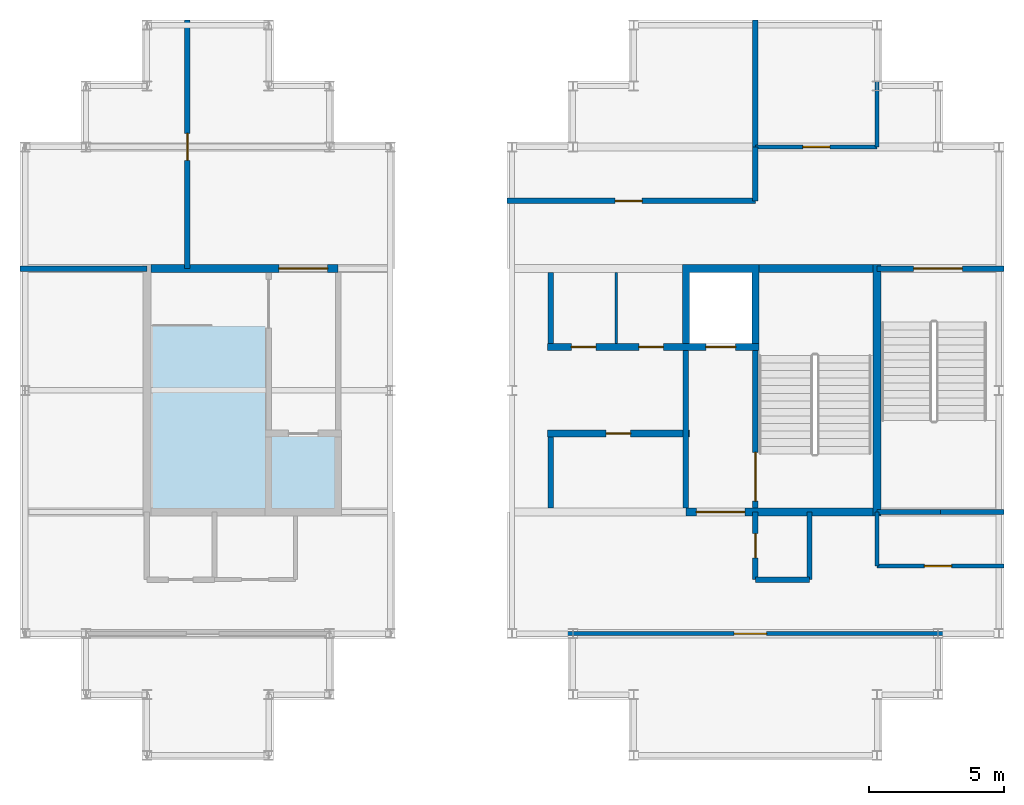
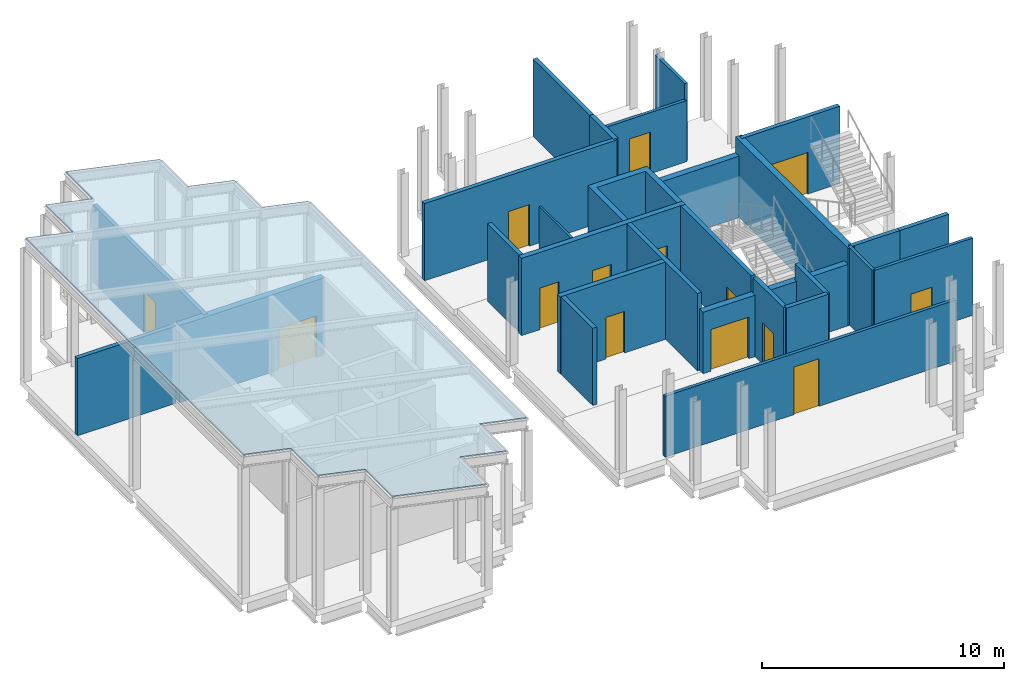
# One storey, part 3 of 6: 28 walls, 14 doors, 1 roof, 14 openings.
"""IFC4 building model written with IfcOpenShell, lengths in metres."""

from ifc_helpers import new_model, si_unit, direction, frame, frame_2d, origin, place, context, subcontext, project, spatial, polyline, rectangle, outline, extrude, material, layer, layer_set, type_object, element, fill, save


model = new_model("IFC4")

# Units and contexts
model_context = context("Model", 3, precision=1e-05, world=origin(), true_north=direction((0.0, 1.0)))
body_context = subcontext(model_context, "Body", "Model", "MODEL_VIEW")
ifc_project = project(units=[si_unit("LENGTHUNIT", "METRE"), si_unit("AREAUNIT", "SQUARE_METRE"), si_unit("VOLUMEUNIT", "CUBIC_METRE"), si_unit("PLANEANGLEUNIT", "RADIAN"), si_unit("MASSUNIT", "GRAM", prefix="KILO")], contexts=[model_context])

# Site, building, storey
site_placement = place(None, origin())
site = spatial("IfcSite", under=ifc_project, at=site_placement, CompositionType="ELEMENT")
building_placement = place(site_placement, origin())
building = spatial("IfcBuilding", under=site, at=building_placement, Name="Caravel Reach Hotel and Residences", CompositionType="ELEMENT")
storey_placement = place(building_placement, frame((0.0, 0.0, 321.199951171875)))
storey = spatial("IfcBuildingStorey", under=building, at=storey_placement, Name="L81", CompositionType="ELEMENT", Elevation=321.199951171875)

# Walls
ifc_material_1 = material(Name="Autoclaved aerated block wall")
ifc_layer_1 = layer(ifc_material_1, 0.199951171875)
ifc_layer_set_1 = layer_set([ifc_layer_1], Name="Compartment wall 200 mm EI 120")
wall_type_1 = type_object("IfcWallType", Name="Compartment wall 200 mm EI 120", PredefinedType="PARTITIONING", material=ifc_layer_set_1)
for number, where, z_axis, x_axis, name in (
    (1, (32.935791015625, 22.64990234375, 0.0), (0.0, 0.0, 1.0), (0.0, 1.0, 0.0), "L81 store partition"),
    (2, (32.935791015625, 28.72509765625, 0.0), (0.0, 0.0, 1.0), (0.0, 1.0, 0.0), "L81 store partition"),
):
    element("IfcWall", number, at=place(storey_placement, frame(where, z_axis=z_axis, x_axis=x_axis)), inside=storey, type_object=wall_type_1, Name=name, PredefinedType="PARTITIONING", context=body_context, shape_type="SweptSolid", body=[
        extrude(rectangle(XDim=2.625, YDim=0.199951171875, at=frame_2d((1.3125, 0.0))), origin(), (0.0, 0.0, 1.0), 3.900146484375),
    ])
wall_1_placement = place(storey_placement, frame((40.5, 20.0, 0.0), z_axis=(0.0, 0.0, 1.0), x_axis=(1.0, 0.0, 0.0)))
element("IfcWall", 3, at=wall_1_placement, inside=storey, type_object=wall_type_1, Name="L81 wall w009", PredefinedType="PARTITIONING", context=body_context, shape_type="SweptSolid", body=[
    extrude(rectangle(XDim=2.0, YDim=0.199951171875, at=frame_2d((1.0, 0.0))), origin(), (0.0, 0.0, 1.0), 3.900146484375),
])
wall_2_placement = place(storey_placement, frame((13.31005859375, 31.5, 0.0), z_axis=(0.0, 0.0, 1.0), x_axis=(1.0, 0.0, 0.0)))
element("IfcWall", 4, at=wall_2_placement, inside=storey, type_object=wall_type_1, Name="L81 wall w011", PredefinedType="PARTITIONING", context=body_context, shape_type="SweptSolid", body=[
    extrude(rectangle(XDim=4.68994140625, YDim=0.199951171875, at=frame_2d((2.344970703125, 0.0))), origin(), (0.0, 0.0, 1.0), 3.900146484375),
])

# Wall, opening, door
wall_3_placement = place(storey_placement, frame((31.31005859375, 34.0, 0.0), z_axis=(0.0, 0.0, 1.0), x_axis=(1.0, 0.0, 0.0)))
wall_3 = element("IfcWall", 5, at=wall_3_placement, inside=storey, type_object=wall_type_1, Name="L81 wall w012", PredefinedType="PARTITIONING", context=body_context, shape_type="SweptSolid", body=[
    extrude(rectangle(XDim=9.18994140625, YDim=0.199951171875, at=frame_2d((4.594970703125, 0.0))), origin(), (0.0, 0.0, 1.0), 3.900146484375),
])
opening_1_placement = place(wall_3_placement, frame((4.0, 0.0, 0.0)))
opening_1 = element("IfcOpeningElement", 6, at=opening_1_placement, cuts=wall_3, Name="Opening D81-015", PredefinedType="OPENING", context=body_context, shape_type="SweptSolid", body=[
    extrude(rectangle(XDim=1.0, YDim=2.10009765625, at=frame_2d((0.5, 1.050048828125))), frame((0.0, 0.10986328125, 0.0), z_axis=(0.0, -1.0, 0.0), x_axis=(1.0, 0.0, 0.0)), (0.0, 0.0, 1.0), 0.219970703125),
])
ifc_material_2 = material(Name="Steel fire door leaf", Category="steel")
door_type_1 = type_object("IfcDoorType", Name="Fire door 1000 x 2100 EI 60", OperationType="SINGLE_SWING_LEFT", PredefinedType="DOOR", material=ifc_material_2)
door_1_placement = place(opening_1_placement, origin())
door_1 = element("IfcDoor", 7, at=door_1_placement, inside=storey, type_object=door_type_1, Name="door D81-015", OperationType="SINGLE_SWING_LEFT", OverallHeight=2.10009765625, OverallWidth=1.0, PredefinedType="DOOR", context=body_context, shape_type="SweptSolid", body=[
    extrude(rectangle(XDim=1.0, YDim=2.10009765625, at=frame_2d((0.5, 1.050048828125))), frame((0.0, 0.02490234375, 0.0), z_axis=(0.0, -1.0, 0.0), x_axis=(1.0, 0.0, 0.0)), (0.0, 0.0, 1.0), 0.050048828125),
])
fill(opening_1, door_1)

wall_4_placement = place(storey_placement, frame((19.5, 31.5, 0.0), z_axis=(0.0, 0.0, 1.0), x_axis=(0.0, 1.0, 0.0)))
wall_4 = element("IfcWall", 8, at=wall_4_placement, inside=storey, type_object=wall_type_1, Name="L81 wall w014", PredefinedType="PARTITIONING", context=body_context, shape_type="SweptSolid", body=[
    extrude(rectangle(XDim=9.18994140625, YDim=0.199951171875, at=frame_2d((4.594970703125, 0.0))), origin(), (0.0, 0.0, 1.0), 3.900146484375),
])
opening_2_placement = place(wall_4_placement, frame((4.0, 0.0, 0.0)))
opening_2 = element("IfcOpeningElement", 9, at=opening_2_placement, cuts=wall_4, Name="Opening D81-018", PredefinedType="OPENING", context=body_context, shape_type="SweptSolid", body=[
    extrude(rectangle(XDim=1.0, YDim=2.10009765625, at=frame_2d((0.5, 1.050048828125))), frame((0.0, 0.10986328125, 0.0), z_axis=(0.0, -1.0, 0.0), x_axis=(1.0, 0.0, 0.0)), (0.0, 0.0, 1.0), 0.219970703125),
])
door_2_placement = place(opening_2_placement, origin())
door_2 = element("IfcDoor", 10, at=door_2_placement, inside=storey, type_object=door_type_1, Name="door D81-018", OperationType="SINGLE_SWING_RIGHT", OverallHeight=2.10009765625, OverallWidth=1.0, PredefinedType="DOOR", context=body_context, shape_type="SweptSolid", body=[
    extrude(rectangle(XDim=1.0, YDim=2.10009765625, at=frame_2d((0.5, 1.050048828125))), frame((0.0, 0.02490234375, 0.0), z_axis=(0.0, -1.0, 0.0), x_axis=(1.0, 0.0, 0.0)), (0.0, 0.0, 1.0), 0.050048828125),
])
fill(opening_2, door_2)

wall_5_placement = place(storey_placement, frame((40.5, 20.0, 0.0), z_axis=(0.0, 0.0, 1.0), x_axis=(0.0, 1.0, 0.0)))
wall_5 = element("IfcWall", 11, at=wall_5_placement, inside=storey, type_object=wall_type_1, Name="L81 wall w016", PredefinedType="PARTITIONING", context=body_context, shape_type="SweptSolid", body=[
    extrude(rectangle(XDim=2.5, YDim=0.199951171875, at=frame_2d((1.25, 0.0))), origin(), (0.0, 0.0, 1.0), 3.900146484375),
])
opening_3_placement = place(wall_5_placement, frame((0.800048828125, 0.0, 0.0)))
opening_3 = element("IfcOpeningElement", 12, at=opening_3_placement, cuts=wall_5, Name="Opening D81-011", PredefinedType="OPENING", context=body_context, shape_type="SweptSolid", body=[
    extrude(rectangle(XDim=0.89990234375, YDim=2.10009765625, at=frame_2d((0.449951171875, 1.050048828125))), frame((0.0, 0.10986328125, 0.0), z_axis=(0.0, -1.0, 0.0), x_axis=(1.0, 0.0, 0.0)), (0.0, 0.0, 1.0), 0.219970703125),
])
ifc_material_3 = material(Name="Steel fire door leaf", Category="steel")
door_type_2 = type_object("IfcDoorType", Name="Riser door 900 x 2100 EI 60", OperationType="SINGLE_SWING_LEFT", PredefinedType="DOOR", material=ifc_material_3)
door_3_placement = place(opening_3_placement, origin())
door_3 = element("IfcDoor", 13, at=door_3_placement, inside=storey, type_object=door_type_2, Name="door D81-011", OperationType="SINGLE_SWING_RIGHT", OverallHeight=2.10009765625, OverallWidth=0.89990234375, PredefinedType="DOOR", context=body_context, shape_type="SweptSolid", body=[
    extrude(rectangle(XDim=0.89990234375, YDim=2.10009765625, at=frame_2d((0.449951171875, 1.050048828125))), frame((0.0, 0.02490234375, 0.0), z_axis=(0.0, -1.0, 0.0), x_axis=(1.0, 0.0, 0.0)), (0.0, 0.0, 1.0), 0.050048828125),
])
fill(opening_3, door_3)

# Walls
wall_6_placement = place(storey_placement, frame((40.5, 34.0, 0.0), z_axis=(0.0, 0.0, 1.0), x_axis=(0.0, 1.0, 0.0)))
element("IfcWall", 14, at=wall_6_placement, inside=storey, type_object=wall_type_1, Name="L81 wall w017", PredefinedType="PARTITIONING", context=body_context, shape_type="SweptSolid", body=[
    extrude(rectangle(XDim=2.0, YDim=0.199951171875, at=frame_2d((1.0, 0.0))), origin(), (0.0, 0.0, 1.0), 3.900146484375),
])
wall_7_placement = place(storey_placement, frame((40.5, 36.0, 0.0), z_axis=(0.0, 0.0, 1.0), x_axis=(0.0, 1.0, 0.0)))
element("IfcWall", 15, at=wall_7_placement, inside=storey, type_object=wall_type_1, Name="L81 wall w018", PredefinedType="PARTITIONING", context=body_context, shape_type="SweptSolid", body=[
    extrude(rectangle(XDim=4.68994140625, YDim=0.199951171875, at=frame_2d((2.344970703125, 0.0))), origin(), (0.0, 0.0, 1.0), 3.900146484375),
])
wall_8_placement = place(storey_placement, frame((42.5, 20.0, 0.0), z_axis=(0.0, 0.0, 1.0), x_axis=(0.0, 1.0, 0.0)))
element("IfcWall", 16, at=wall_8_placement, inside=storey, type_object=wall_type_1, Name="L81 wall w019", PredefinedType="PARTITIONING", context=body_context, shape_type="SweptSolid", body=[
    extrude(rectangle(XDim=2.5, YDim=0.199951171875, at=frame_2d((1.25, 0.0))), origin(), (0.0, 0.0, 1.0), 3.900146484375),
])

# Wall, opening, door
ifc_material_4 = material(Name="Concrete C60", Category="concrete")
ifc_layer_2 = layer(ifc_material_4, 0.300048828125)
ifc_layer_set_2 = layer_set([ifc_layer_2], Name="Core wall 300 mm EI 120")
wall_type_2 = type_object("IfcWallType", Name="Core wall 300 mm EI 120", PredefinedType="SHEAR", material=ifc_layer_set_2)
wall_9_placement = place(storey_placement, frame((37.928466796875, 22.5, 0.0), z_axis=(0.0, 0.0, 1.0), x_axis=(1.0, 0.0, 0.0)))
wall_9 = element("IfcWall", 17, at=wall_9_placement, inside=storey, type_object=wall_type_2, Name="L81 core wall S2", PredefinedType="SHEAR", context=body_context, shape_type="SweptSolid", body=[
    extrude(rectangle(XDim=6.921630859375, YDim=0.300048828125, at=frame_2d((3.4609375, 0.0))), origin(), (0.0, 0.0, 1.0), 3.10009765625),
])
opening_4_placement = place(wall_9_placement, frame((0.3857421875, 0.0, 0.0)))
opening_4 = element("IfcOpeningElement", 18, at=opening_4_placement, cuts=wall_9, Name="Opening D81-009", PredefinedType="OPENING", context=body_context, shape_type="SweptSolid", body=[
    extrude(rectangle(XDim=1.800048828125, YDim=2.10009765625, at=frame_2d((0.89990234375, 1.050048828125))), frame((0.0, 0.159912109375, 0.0), z_axis=(0.0, -1.0, 0.0), x_axis=(1.0, 0.0, 0.0)), (0.0, 0.0, 1.0), 0.320068359375),
])
ifc_material_5 = material(Name="Steel fire door leaf", Category="steel")
door_type_3 = type_object("IfcDoorType", Name="Fire lobby door pair 1800 x 2100 EI 90", OperationType="DOUBLE_DOOR_SINGLE_SWING", PredefinedType="DOOR", material=ifc_material_5)
door_4_placement = place(opening_4_placement, origin())
door_4 = element("IfcDoor", 19, at=door_4_placement, inside=storey, type_object=door_type_3, Name="lobby S door pair to corridor", OperationType="DOUBLE_DOOR_SINGLE_SWING", OverallHeight=2.10009765625, OverallWidth=1.800048828125, PredefinedType="DOOR", context=body_context, shape_type="SweptSolid", body=[
    extrude(rectangle(XDim=1.800048828125, YDim=2.10009765625, at=frame_2d((0.89990234375, 1.050048828125))), frame((0.0, 0.02490234375, 0.0), z_axis=(0.0, -1.0, 0.0), x_axis=(1.0, 0.0, 0.0)), (0.0, 0.0, 1.0), 0.050048828125),
])
fill(opening_4, door_4)

wall_10_placement = place(storey_placement, frame((18.14990234375, 31.5, 0.0), z_axis=(0.0, 0.0, 1.0), x_axis=(1.0, 0.0, 0.0)))
wall_10 = element("IfcWall", 20, at=wall_10_placement, inside=storey, type_object=wall_type_2, Name="L81 core wall N1", PredefinedType="SHEAR", context=body_context, shape_type="SweptSolid", body=[
    extrude(rectangle(XDim=6.921630859375, YDim=0.300048828125, at=frame_2d((3.4609375, 0.0))), origin(), (0.0, 0.0, 1.0), 3.900146484375),
])
opening_5_placement = place(wall_10_placement, frame((4.735595703125, 0.0, 0.0)))
opening_5 = element("IfcOpeningElement", 21, at=opening_5_placement, cuts=wall_10, Name="Opening D81-008", PredefinedType="OPENING", context=body_context, shape_type="SweptSolid", body=[
    extrude(rectangle(XDim=1.800048828125, YDim=2.10009765625, at=frame_2d((0.89990234375, 1.050048828125))), frame((0.0, 0.159912109375, 0.0), z_axis=(0.0, -1.0, 0.0), x_axis=(1.0, 0.0, 0.0)), (0.0, 0.0, 1.0), 0.320068359375),
])
door_5_placement = place(opening_5_placement, origin())
door_5 = element("IfcDoor", 22, at=door_5_placement, inside=storey, type_object=door_type_3, Name="lobby N door pair to corridor", OperationType="DOUBLE_DOOR_SINGLE_SWING", OverallHeight=2.10009765625, OverallWidth=1.800048828125, PredefinedType="DOOR", context=body_context, shape_type="SweptSolid", body=[
    extrude(rectangle(XDim=1.800048828125, YDim=2.10009765625, at=frame_2d((0.89990234375, 1.050048828125))), frame((0.0, 0.02490234375, 0.0), z_axis=(0.0, -1.0, 0.0), x_axis=(1.0, 0.0, 0.0)), (0.0, 0.0, 1.0), 0.050048828125),
])
fill(opening_5, door_5)

# Walls
wall_11_placement = place(storey_placement, frame((40.625, 31.5, 0.0), z_axis=(0.0, 0.0, 1.0), x_axis=(1.0, 0.0, 0.0)))
element("IfcWall", 23, at=wall_11_placement, inside=storey, type_object=wall_type_2, Name="L81 core wall N2", PredefinedType="SHEAR", context=body_context, shape_type="SweptSolid", body=[
    extrude(rectangle(XDim=4.22509765625, YDim=0.300048828125, at=frame_2d((2.112548828125, 0.0))), origin(), (0.0, 0.0, 1.0), 3.10009765625),
])
wall_12_placement = place(storey_placement, frame((45.0, 22.35009765625, 0.0), z_axis=(0.0, 0.0, 1.0), x_axis=(0.0, 1.0, 0.0)))
element("IfcWall", 24, at=wall_12_placement, inside=storey, type_object=wall_type_2, Name="L81 core wall E", PredefinedType="SHEAR", context=body_context, shape_type="SweptSolid", body=[
    extrude(rectangle(XDim=9.2998046875, YDim=0.300048828125, at=frame_2d((4.64990234375, 0.0))), origin(), (0.0, 0.0, 1.0), 3.900146484375),
])

# Wall, opening, door
ifc_material_6 = material(Name="Gypsum board on steel stud, fire-rated", Category="steel")
ifc_layer_3 = layer(ifc_material_6, 0.14990234375)
ifc_layer_set_3 = layer_set([ifc_layer_3], Name="Corridor wall 150 mm EI 60")
wall_type_3 = type_object("IfcWallType", Name="Corridor wall 150 mm EI 60", PredefinedType="PARTITIONING", material=ifc_layer_set_3)
wall_13_placement = place(storey_placement, frame((33.56005859375, 18.0, 0.0), z_axis=(0.0, 0.0, 1.0), x_axis=(1.0, 0.0, 0.0)))
wall_13 = element("IfcWall", 25, at=wall_13_placement, inside=storey, type_object=wall_type_3, Name="L81 wall w001", PredefinedType="PARTITIONING", context=body_context, shape_type="SweptSolid", body=[
    extrude(rectangle(XDim=13.8798828125, YDim=0.14990234375, at=frame_2d((6.93994140625, 0.0))), origin(), (0.0, 0.0, 1.0), 3.080078125),
])
opening_6_placement = place(wall_13_placement, frame((6.14990234375, 0.0, 0.0)))
opening_6 = element("IfcOpeningElement", 26, at=opening_6_placement, cuts=wall_13, Name="Opening D81-014", PredefinedType="OPENING", context=body_context, shape_type="SweptSolid", body=[
    extrude(rectangle(XDim=1.199951171875, YDim=2.39990234375, at=frame_2d((0.60009765625, 1.199951171875))), frame((0.0, 0.0849609375, 0.0), z_axis=(0.0, -1.0, 0.0), x_axis=(1.0, 0.0, 0.0)), (0.0, 0.0, 1.0), 0.169921875),
])
ifc_material_7 = material(Name="Timber and steel door leaf", Category="steel")
door_type_4 = type_object("IfcDoorType", Name="Glazed door 1200 x 2400", OperationType="SINGLE_SWING_LEFT", PredefinedType="DOOR", material=ifc_material_7)
door_6_placement = place(opening_6_placement, origin())
door_6 = element("IfcDoor", 27, at=door_6_placement, inside=storey, type_object=door_type_4, Name="door D81-014", OperationType="SINGLE_SWING_LEFT", OverallHeight=2.39990234375, OverallWidth=1.199951171875, PredefinedType="DOOR", context=body_context, shape_type="SweptSolid", body=[
    extrude(rectangle(XDim=1.199951171875, YDim=2.39990234375, at=frame_2d((0.60009765625, 1.199951171875))), frame((0.0, 0.02490234375, 0.0), z_axis=(0.0, -1.0, 0.0), x_axis=(1.0, 0.0, 0.0)), (0.0, 0.0, 1.0), 0.050048828125),
])
fill(opening_6, door_6)

wall_14_placement = place(storey_placement, frame((45.0, 20.5, 0.0), z_axis=(0.0, 0.0, 1.0), x_axis=(1.0, 0.0, 0.0)))
wall_14 = element("IfcWall", 28, at=wall_14_placement, inside=storey, type_object=wall_type_3, Name="L81 wall w004", PredefinedType="PARTITIONING", context=body_context, shape_type="SweptSolid", body=[
    extrude(rectangle(XDim=4.68994140625, YDim=0.14990234375, at=frame_2d((2.344970703125, 0.0))), origin(), (0.0, 0.0, 1.0), 3.900146484375),
])
opening_7_placement = place(wall_14_placement, frame((1.75, 0.0, 0.0)))
opening_7 = element("IfcOpeningElement", 29, at=opening_7_placement, cuts=wall_14, Name="Opening D81-019", PredefinedType="OPENING", context=body_context, shape_type="SweptSolid", body=[
    extrude(rectangle(XDim=1.0, YDim=2.10009765625, at=frame_2d((0.5, 1.050048828125))), frame((0.0, 0.0849609375, 0.0), z_axis=(0.0, -1.0, 0.0), x_axis=(1.0, 0.0, 0.0)), (0.0, 0.0, 1.0), 0.169921875),
])
door_7_placement = place(opening_7_placement, origin())
door_7 = element("IfcDoor", 30, at=door_7_placement, inside=storey, type_object=door_type_1, Name="door D81-019", OperationType="SINGLE_SWING_RIGHT", OverallHeight=2.10009765625, OverallWidth=1.0, PredefinedType="DOOR", context=body_context, shape_type="SweptSolid", body=[
    extrude(rectangle(XDim=1.0, YDim=2.10009765625, at=frame_2d((0.5, 1.050048828125))), frame((0.0, 0.02490234375, 0.0), z_axis=(0.0, -1.0, 0.0), x_axis=(1.0, 0.0, 0.0)), (0.0, 0.0, 1.0), 0.050048828125),
])
fill(opening_7, door_7)

wall_15_placement = place(storey_placement, frame((40.5, 36.0, 0.0), z_axis=(0.0, 0.0, 1.0), x_axis=(1.0, 0.0, 0.0)))
wall_15 = element("IfcWall", 31, at=wall_15_placement, inside=storey, type_object=wall_type_3, Name="L81 wall w005", PredefinedType="PARTITIONING", context=body_context, shape_type="SweptSolid", body=[
    extrude(rectangle(XDim=4.5, YDim=0.14990234375, at=frame_2d((2.25, 0.0))), origin(), (0.0, 0.0, 1.0), 3.080078125),
])
opening_8_placement = place(wall_15_placement, frame((1.75, 0.0, 0.0)))
opening_8 = element("IfcOpeningElement", 32, at=opening_8_placement, cuts=wall_15, Name="Opening D81-016", PredefinedType="OPENING", context=body_context, shape_type="SweptSolid", body=[
    extrude(rectangle(XDim=1.0, YDim=2.10009765625, at=frame_2d((0.5, 1.050048828125))), frame((0.0, 0.0849609375, 0.0), z_axis=(0.0, -1.0, 0.0), x_axis=(1.0, 0.0, 0.0)), (0.0, 0.0, 1.0), 0.169921875),
])
door_8_placement = place(opening_8_placement, origin())
door_8 = element("IfcDoor", 33, at=door_8_placement, inside=storey, type_object=door_type_1, Name="door D81-016", OperationType="SINGLE_SWING_LEFT", OverallHeight=2.10009765625, OverallWidth=1.0, PredefinedType="DOOR", context=body_context, shape_type="SweptSolid", body=[
    extrude(rectangle(XDim=1.0, YDim=2.10009765625, at=frame_2d((0.5, 1.050048828125))), frame((0.0, 0.02490234375, 0.0), z_axis=(0.0, -1.0, 0.0), x_axis=(1.0, 0.0, 0.0)), (0.0, 0.0, 1.0), 0.050048828125),
])
fill(opening_8, door_8)

# Walls
wall_16_placement = place(storey_placement, frame((45.0, 36.0, 0.0), z_axis=(0.0, 0.0, 1.0), x_axis=(0.0, 1.0, 0.0)))
element("IfcWall", 34, at=wall_16_placement, inside=storey, type_object=wall_type_3, Name="L81 wall w007", PredefinedType="PARTITIONING", context=body_context, shape_type="SweptSolid", body=[
    extrude(rectangle(XDim=2.43994140625, YDim=0.14990234375, at=frame_2d((1.219970703125, 0.0))), origin(), (0.0, 0.0, 1.0), 3.900146484375),
])
wall_17_placement = place(storey_placement, frame((45.0, 20.5, 0.0), z_axis=(0.0, 0.0, 1.0), x_axis=(0.0, 1.0, 0.0)))
element("IfcWall", 35, at=wall_17_placement, inside=storey, type_object=wall_type_3, Name="L81 wall w008", PredefinedType="PARTITIONING", context=body_context, shape_type="SweptSolid", body=[
    extrude(rectangle(XDim=2.0, YDim=0.14990234375, at=frame_2d((1.0, 0.0))), origin(), (0.0, 0.0, 1.0), 3.900146484375),
])
ifc_material_8 = material(Name="Autoclaved aerated block wall")
ifc_layer_4 = layer(ifc_material_8, 0.199951171875)
ifc_layer_set_4 = layer_set([ifc_layer_4], Name="Fire lobby wall 200 mm EI 120")
wall_type_4 = type_object("IfcWallType", Name="Fire lobby wall 200 mm EI 120", PredefinedType="PARTITIONING", material=ifc_layer_set_4)
wall_18_placement = place(storey_placement, frame((37.928466796875, 22.64990234375, 0.0), z_axis=(0.0, 0.0, 1.0), x_axis=(0.0, 1.0, 0.0)))
element("IfcWall", 36, at=wall_18_placement, inside=storey, type_object=wall_type_4, Name="L81 lobby E closing wall", PredefinedType="PARTITIONING", context=body_context, shape_type="SweptSolid", body=[
    extrude(rectangle(XDim=5.8251953125, YDim=0.199951171875, at=frame_2d((2.91259765625, 0.0))), origin(), (0.0, 0.0, 1.0), 3.900146484375),
])
ifc_material_9 = material(Name="Gypsum board on steel stud", Category="steel")
ifc_layer_5 = layer(ifc_material_9, 0.10009765625)
ifc_layer_set_5 = layer_set([ifc_layer_5], Name="Partition 100 mm")
wall_type_5 = type_object("IfcWallType", Name="Partition 100 mm", PredefinedType="PARTITIONING", material=ifc_layer_set_5)
wall_19_placement = place(storey_placement, frame((35.357177734375, 28.72509765625, 0.0), z_axis=(0.0, 0.0, 1.0), x_axis=(0.0, 1.0, 0.0)))
element("IfcWall", 37, at=wall_19_placement, inside=storey, type_object=wall_type_5, Name="L81 store partition", PredefinedType="PARTITIONING", context=body_context, shape_type="SweptSolid", body=[
    extrude(rectangle(XDim=2.625, YDim=0.10009765625, at=frame_2d((1.3125, 0.0))), origin(), (0.0, 0.0, 1.0), 3.900146484375),
])
ifc_material_10 = material(Name="Concrete C60", Category="concrete")
ifc_layer_6 = layer(ifc_material_10, 0.25)
ifc_layer_set_6 = layer_set([ifc_layer_6], Name="Shaft wall 250 mm EI 120")
wall_type_6 = type_object("IfcWallType", Name="Shaft wall 250 mm EI 120", PredefinedType="SHEAR", material=ifc_layer_set_6)
wall_20_placement = place(storey_placement, origin())
element("IfcWall", 38, at=wall_20_placement, inside=storey, type_object=wall_type_6, Name="L81 lift shaft wall N1", PredefinedType="SHEAR", context=body_context, shape_type="SweptSolid", body=[
    extrude(outline(polyline([(37.803466796875, 28.72509765625), (38.053466796875, 28.72509765625), (38.053466796875, 31.35009765625), (40.375, 31.35009765625), (40.375, 28.72509765625), (40.625, 28.72509765625), (40.625, 31.64990234375), (37.803466796875, 31.64990234375), (37.803466796875, 28.72509765625)])), origin(), (0.0, 0.0, 1.0), 3.900146484375),
])

# Wall, opening, door
wall_21_placement = place(storey_placement, frame((32.810791015625, 25.39990234375, 0.0), z_axis=(0.0, 0.0, 1.0), x_axis=(1.0, 0.0, 0.0)))
wall_21 = element("IfcWall", 39, at=wall_21_placement, inside=storey, type_object=wall_type_6, Name="L81 lobby wall S2", PredefinedType="SHEAR", context=body_context, shape_type="SweptSolid", body=[
    extrude(rectangle(XDim=5.24267578125, YDim=0.25, at=frame_2d((2.621337890625, 0.0))), origin(), (0.0, 0.0, 1.0), 3.900146484375),
])
opening_9_placement = place(wall_21_placement, frame((2.17138671875, 0.0, 0.0)))
opening_9 = element("IfcOpeningElement", 40, at=opening_9_placement, cuts=wall_21, Name="Opening D81-003", PredefinedType="OPENING", context=body_context, shape_type="SweptSolid", body=[
    extrude(rectangle(XDim=0.89990234375, YDim=2.10009765625, at=frame_2d((0.449951171875, 1.050048828125))), frame((0.0, 0.135009765625, 0.0), z_axis=(0.0, -1.0, 0.0), x_axis=(1.0, 0.0, 0.0)), (0.0, 0.0, 1.0), 0.27001953125),
])
door_9_placement = place(opening_9_placement, origin())
door_9 = element("IfcDoor", 41, at=door_9_placement, inside=storey, type_object=door_type_2, Name="Refuse store door", OperationType="SINGLE_SWING_LEFT", OverallHeight=2.10009765625, OverallWidth=0.89990234375, PredefinedType="DOOR", context=body_context, shape_type="SweptSolid", body=[
    extrude(rectangle(XDim=0.89990234375, YDim=2.10009765625, at=frame_2d((0.449951171875, 1.050048828125))), frame((0.0, 0.02490234375, 0.0), z_axis=(0.0, -1.0, 0.0), x_axis=(1.0, 0.0, 0.0)), (0.0, 0.0, 1.0), 0.050048828125),
])
fill(opening_9, door_9)

# Wall, openings, doors
wall_22_placement = place(storey_placement, frame((32.810791015625, 28.60009765625, 0.0), z_axis=(0.0, 0.0, 1.0), x_axis=(1.0, 0.0, 0.0)))
wall_22 = element("IfcWall", 42, at=wall_22_placement, inside=storey, type_object=wall_type_6, Name="L81 lobby wall N1", PredefinedType="SHEAR", context=body_context, shape_type="SweptSolid", body=[
    extrude(rectangle(XDim=7.814208984375, YDim=0.25, at=frame_2d((3.9072265625, 0.0))), origin(), (0.0, 0.0, 1.0), 3.900146484375),
])
opening_10_placement = place(wall_22_placement, frame((5.853515625, 0.0, 0.0)))
opening_10 = element("IfcOpeningElement", 43, at=opening_10_placement, cuts=wall_22, Name="Opening D81-002", PredefinedType="OPENING", context=body_context, shape_type="SweptSolid", body=[
    extrude(rectangle(XDim=1.10009765625, YDim=2.10009765625, at=frame_2d((0.550048828125, 1.050048828125))), frame((0.0, 0.135009765625, 0.0), z_axis=(0.0, -1.0, 0.0), x_axis=(1.0, 0.0, 0.0)), (0.0, 0.0, 1.0), 0.27001953125),
])
opening_11_placement = place(wall_22_placement, frame((0.8857421875, 0.0, 0.0)))
opening_11 = element("IfcOpeningElement", 44, at=opening_11_placement, cuts=wall_22, Name="Opening D81-004", PredefinedType="OPENING", context=body_context, shape_type="SweptSolid", body=[
    extrude(rectangle(XDim=0.89990234375, YDim=2.10009765625, at=frame_2d((0.449951171875, 1.050048828125))), frame((0.0, 0.135009765625, 0.0), z_axis=(0.0, -1.0, 0.0), x_axis=(1.0, 0.0, 0.0)), (0.0, 0.0, 1.0), 0.27001953125),
])
opening_12_placement = place(wall_22_placement, frame((3.382080078125, 0.0, 0.0)))
opening_12 = element("IfcOpeningElement", 45, at=opening_12_placement, cuts=wall_22, Name="Opening D81-005", PredefinedType="OPENING", context=body_context, shape_type="SweptSolid", body=[
    extrude(rectangle(XDim=0.89990234375, YDim=2.10009765625, at=frame_2d((0.449951171875, 1.050048828125))), frame((0.0, 0.135009765625, 0.0), z_axis=(0.0, -1.0, 0.0), x_axis=(1.0, 0.0, 0.0)), (0.0, 0.0, 1.0), 0.27001953125),
])
ifc_material_11 = material(Name="Stainless steel landing door", Category="steel")
door_type_5 = type_object("IfcDoorType", Name="Landing door LD 1100 x 2100 sliding", OperationType="DOUBLE_DOOR_SLIDING", PredefinedType="DOOR", material=ifc_material_11)
door_10_placement = place(opening_10_placement, origin())
door_10 = element("IfcDoor", 46, at=door_10_placement, inside=storey, type_object=door_type_5, Name="FL2 landing door", OperationType="DOUBLE_DOOR_SLIDING", OverallHeight=2.10009765625, OverallWidth=1.10009765625, PredefinedType="DOOR", context=body_context, shape_type="SweptSolid", body=[
    extrude(rectangle(XDim=1.10009765625, YDim=2.10009765625, at=frame_2d((0.550048828125, 1.050048828125))), frame((0.0, 0.02490234375, 0.0), z_axis=(0.0, -1.0, 0.0), x_axis=(1.0, 0.0, 0.0)), (0.0, 0.0, 1.0), 0.050048828125),
])
fill(opening_10, door_10)
door_11_placement = place(opening_11_placement, origin())
door_11 = element("IfcDoor", 47, at=door_11_placement, inside=storey, type_object=door_type_2, Name="Telecom room door", OperationType="SINGLE_SWING_LEFT", OverallHeight=2.10009765625, OverallWidth=0.89990234375, PredefinedType="DOOR", context=body_context, shape_type="SweptSolid", body=[
    extrude(rectangle(XDim=0.89990234375, YDim=2.10009765625, at=frame_2d((0.449951171875, 1.050048828125))), frame((0.0, 0.02490234375, 0.0), z_axis=(0.0, -1.0, 0.0), x_axis=(1.0, 0.0, 0.0)), (0.0, 0.0, 1.0), 0.050048828125),
])
fill(opening_11, door_11)
door_12_placement = place(opening_12_placement, origin())
door_12 = element("IfcDoor", 48, at=door_12_placement, inside=storey, type_object=door_type_2, Name="Recycling store door", OperationType="SINGLE_SWING_LEFT", OverallHeight=2.10009765625, OverallWidth=0.89990234375, PredefinedType="DOOR", context=body_context, shape_type="SweptSolid", body=[
    extrude(rectangle(XDim=0.89990234375, YDim=2.10009765625, at=frame_2d((0.449951171875, 1.050048828125))), frame((0.0, 0.02490234375, 0.0), z_axis=(0.0, -1.0, 0.0), x_axis=(1.0, 0.0, 0.0)), (0.0, 0.0, 1.0), 0.050048828125),
])
fill(opening_12, door_12)

# Wall, opening, door
ifc_material_12 = material(Name="Concrete C60", Category="concrete")
ifc_layer_7 = layer(ifc_material_12, 0.199951171875)
ifc_layer_set_7 = layer_set([ifc_layer_7], Name="Stair enclosure wall 200 mm EI 120")
wall_type_7 = type_object("IfcWallType", Name="Stair enclosure wall 200 mm EI 120", PredefinedType="SHEAR", material=ifc_layer_set_7)
wall_23_placement = place(storey_placement, frame((40.5, 22.64990234375, 0.0), z_axis=(0.0, 0.0, 1.0), x_axis=(0.0, 1.0, 0.0)))
wall_23 = element("IfcWall", 49, at=wall_23_placement, inside=storey, type_object=wall_type_7, Name="L81 stair B wall", PredefinedType="SHEAR", context=body_context, shape_type="SweptSolid", body=[
    extrude(rectangle(XDim=5.8251953125, YDim=0.199951171875, at=frame_2d((2.91259765625, 0.0))), origin(), (0.0, 0.0, 1.0), 3.900146484375),
])
opening_13_placement = place(wall_23_placement, frame((0.25, 0.0, 0.0)))
opening_13 = element("IfcOpeningElement", 50, at=opening_13_placement, cuts=wall_23, Name="Opening D81-007", PredefinedType="OPENING", context=body_context, shape_type="SweptSolid", body=[
    extrude(rectangle(XDim=1.800048828125, YDim=2.10009765625, at=frame_2d((0.89990234375, 1.050048828125))), frame((0.0, 0.10986328125, 0.0), z_axis=(0.0, -1.0, 0.0), x_axis=(1.0, 0.0, 0.0)), (0.0, 0.0, 1.0), 0.219970703125),
])
ifc_material_13 = material(Name="Steel fire door leaf", Category="steel")
door_type_6 = type_object("IfcDoorType", Name="Stair door pair 1800 x 2100 EI 90", OperationType="DOUBLE_DOOR_SINGLE_SWING", PredefinedType="DOOR", material=ifc_material_13)
door_13_placement = place(opening_13_placement, origin())
door_13 = element("IfcDoor", 51, at=door_13_placement, inside=storey, type_object=door_type_6, Name="stair B door pair", OperationType="DOUBLE_DOOR_SINGLE_SWING", OverallHeight=2.10009765625, OverallWidth=1.800048828125, PredefinedType="DOOR", context=body_context, shape_type="SweptSolid", body=[
    extrude(rectangle(XDim=1.800048828125, YDim=2.10009765625, at=frame_2d((0.89990234375, 1.050048828125))), frame((0.0, 0.02490234375, 0.0), z_axis=(0.0, -1.0, 0.0), x_axis=(1.0, 0.0, 0.0)), (0.0, 0.0, 1.0), 0.050048828125),
])
fill(opening_13, door_13)

# Wall
wall_24_placement = place(storey_placement, frame((45.0, 22.5, 0.0), z_axis=(0.0, 0.0, 1.0), x_axis=(1.0, 0.0, 0.0)))
element("IfcWall", 52, at=wall_24_placement, inside=storey, type_object=wall_type_7, Name="L81 wall w020", PredefinedType="SHEAR", context=body_context, shape_type="SweptSolid", body=[
    extrude(rectangle(XDim=2.344970703125, YDim=0.199951171875, at=frame_2d((1.17236328125, 0.0))), origin(), (0.0, 0.0, 1.0), 3.900146484375),
])

# Wall, opening, door
wall_25_placement = place(storey_placement, frame((45.0, 31.5, 0.0), z_axis=(0.0, 0.0, 1.0), x_axis=(1.0, 0.0, 0.0)))
wall_25 = element("IfcWall", 53, at=wall_25_placement, inside=storey, type_object=wall_type_7, Name="L81 wall w021", PredefinedType="SHEAR", context=body_context, shape_type="SweptSolid", body=[
    extrude(rectangle(XDim=4.68994140625, YDim=0.199951171875, at=frame_2d((2.344970703125, 0.0))), origin(), (0.0, 0.0, 1.0), 3.900146484375),
])
opening_14_placement = place(wall_25_placement, frame((1.35009765625, 0.0, 0.0)))
opening_14 = element("IfcOpeningElement", 54, at=opening_14_placement, cuts=wall_25, Name="Opening D81-010", PredefinedType="OPENING", context=body_context, shape_type="SweptSolid", body=[
    extrude(rectangle(XDim=1.800048828125, YDim=2.10009765625, at=frame_2d((0.89990234375, 1.050048828125))), frame((0.0, 0.10986328125, 0.0), z_axis=(0.0, -1.0, 0.0), x_axis=(1.0, 0.0, 0.0)), (0.0, 0.0, 1.0), 0.219970703125),
])
door_14_placement = place(opening_14_placement, origin())
door_14 = element("IfcDoor", 55, at=door_14_placement, inside=storey, type_object=door_type_6, Name="door D81-010", OperationType="DOUBLE_DOOR_SINGLE_SWING", OverallHeight=2.10009765625, OverallWidth=1.800048828125, PredefinedType="DOOR", context=body_context, shape_type="SweptSolid", body=[
    extrude(rectangle(XDim=1.800048828125, YDim=2.10009765625, at=frame_2d((0.89990234375, 1.050048828125))), frame((0.0, 0.02490234375, 0.0), z_axis=(0.0, -1.0, 0.0), x_axis=(1.0, 0.0, 0.0)), (0.0, 0.0, 1.0), 0.050048828125),
])
fill(opening_14, door_14)

# Wall
wall_26_placement = place(storey_placement, frame((47.344970703125, 22.5, 0.0), z_axis=(0.0, 0.0, 1.0), x_axis=(1.0, 0.0, 0.0)))
element("IfcWall", 56, at=wall_26_placement, inside=storey, type_object=wall_type_7, Name="L81 wall w020", PredefinedType="SHEAR", context=body_context, shape_type="SweptSolid", body=[
    extrude(rectangle(XDim=2.344970703125, YDim=0.199951171875, at=frame_2d((1.17236328125, 0.0))), origin(), (0.0, 0.0, 1.0), 3.900146484375),
])

# Roof
ifc_material_14 = material(Name="Dark laminated low-e glass", Category="glass")
ifc_layer_8 = layer(ifc_material_14, 0.06005859375)
ifc_layer_set_8 = layer_set([ifc_layer_8], Name="RF1 Glazed roof 60")
roof_type = type_object("IfcRoofType", Name="RF1 Glazed roof 60", PredefinedType="SHED_ROOF", material=ifc_layer_set_8)
roof_placement = place(storey_placement, frame((22.5, 13.5, 5.216552734375), z_axis=(0.20791968542, 0.0, 0.978145901394), x_axis=(0.0, 1.0, 0.0)))
element("IfcRoof", 57, at=roof_placement, inside=storey, type_object=roof_type, Name="West peak glazed roof", PredefinedType="SHED_ROOF", context=body_context, shape_type="SweptSolid", body=[
    extrude(outline(polyline([(0.0, 0.0), (2.25, 0.0), (2.25, -2.3002703347142193), (4.5, -2.3002703347142193), (4.5, -4.6005406694284385), (22.5, -4.6005406694284385), (22.5, -2.3002703347142193), (24.75, -2.3002703347142193), (24.75, 0.0), (27.0, 0.0), (27.0, 4.6005406694284385), (24.75, 4.6005406694284385), (24.75, 6.900811004142658), (22.5, 6.900811004142658), (22.5, 9.201081338856877), (4.5, 9.201081338856877), (4.5, 6.900811004142658), (2.25, 6.900811004142658), (2.25, 4.6005406694284385), (0.0, 4.6005406694284385), (0.0, 0.0)])), origin(), (0.0, 0.0, -1.0), 0.06005859375),
])

save(model, "model.ifc")
